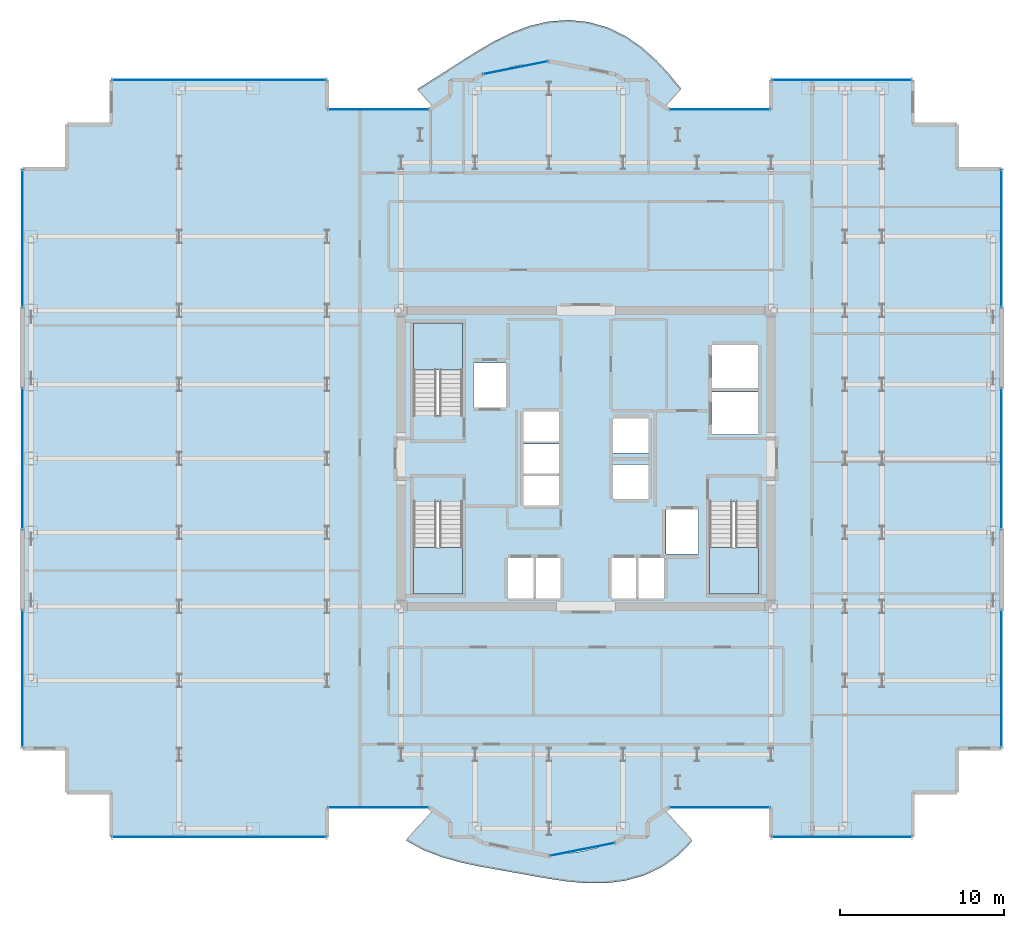
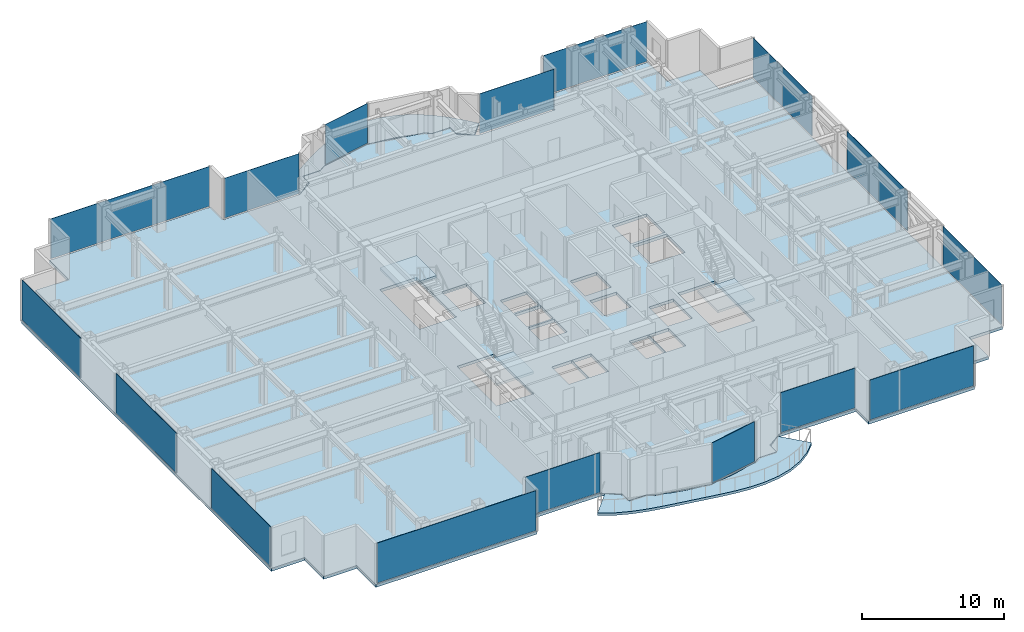
# One storey, part 17 of 25: 16 plates, 6 slabs, 19 elements without a shape of their own.
"""IFC4 building model written with IfcOpenShell, lengths in metres."""

from ifc_helpers import new_model, si_unit, direction, frame, origin, origin_2d, place, context, subcontext, project, spatial, polyline, rectangle, outline, extrude, source, transform, mapped, material, layer, layer_set, type_object, element, aggregate, save


model = new_model("IFC4")

# Units and contexts
model_context = context("Model", 3, precision=1e-05, world=origin(), true_north=direction((0.0, 1.0)))
body_context = subcontext(model_context, "Body", "Model", "MODEL_VIEW")
ifc_project = project(units=[si_unit("LENGTHUNIT", "METRE"), si_unit("AREAUNIT", "SQUARE_METRE"), si_unit("VOLUMEUNIT", "CUBIC_METRE"), si_unit("PLANEANGLEUNIT", "RADIAN"), si_unit("MASSUNIT", "GRAM", prefix="KILO")], contexts=[model_context])

# Site, building, storey
site_placement = place(None, origin())
site = spatial("IfcSite", under=ifc_project, at=site_placement, CompositionType="ELEMENT")
building_placement = place(site_placement, origin())
building = spatial("IfcBuilding", under=site, at=building_placement, Name="Nefas-Gora Pilgrimage Tower", CompositionType="ELEMENT")
storey_placement = place(building_placement, frame((0.0, 0.0, 194.39990234375)))
storey = spatial("IfcBuildingStorey", under=building, at=storey_placement, Name="L48", CompositionType="ELEMENT", Elevation=194.39990234375)

# Slabs
ifc_material_1 = material(Name="Concrete C40/50", Category="concrete")
ifc_layer_1 = layer(ifc_material_1, 0.219970703125)
ifc_layer_set_1 = layer_set([ifc_layer_1], Name="Concrete C40/50")
slab_type_1 = type_object("IfcSlabType", Name="SLB-BAL-P3", PredefinedType="FLOOR", material=ifc_layer_set_1)
slab_1_placement = place(storey_placement, frame((0.0, 0.0, -0.219970703125)))
element("IfcSlab", 1, at=slab_1_placement, inside=storey, type_object=slab_type_1, Name="L48 Sinusoidal Lobe Balcony Slab S (Phase 3)", PredefinedType="FLOOR", context=body_context, shape_type="SweptSolid", body=[
    extrude(outline(polyline([(4.78759765625, -21.385986328125), (4.724609375, -21.427978515625), (4.038330078125, -21.9912109375), (3.760009765625, -22.179931640625), (3.760009765625, -23.02001953125), (3.760009765625, -23.02099609375), (3.759765625, -23.02197265625), (3.759521484375, -23.02294921875), (3.75927734375, -23.023681640625), (3.7587890625, -23.024658203125), (3.75830078125, -23.025634765625), (3.7578125, -23.0263671875), (3.757080078125, -23.027099609375), (3.75634765625, -23.027587890625), (3.755615234375, -23.0283203125), (3.754638671875, -23.02880859375), (3.75390625, -23.029296875), (3.7529296875, -23.029541015625), (3.751953125, -23.02978515625), (3.7509765625, -23.030029296875), (3.75, -23.030029296875), (2.3271484375, -23.030029296875), (1.81298828125, -23.37353515625), (1.81201171875, -23.3740234375), (1.811279296875, -23.37451171875), (1.810302734375, -23.375), (1.809326171875, -23.375), (1.13037109375, -23.51025390625), (0.602783203125, -23.685302734375), (-0.334716796875, -23.904052734375), (-1.288330078125, -24.035888671875), (-1.580078125, -24.04931640625), (-2.248046875, -24.18212890625), (-2.2490234375, -24.182373046875), (-2.25, -24.182373046875), (-2.2509765625, -24.182373046875), (-2.251953125, -24.18212890625), (-2.919921875, -24.04931640625), (-3.211669921875, -24.035888671875), (-4.165283203125, -23.904052734375), (-5.102783203125, -23.685302734375), (-5.63037109375, -23.51025390625), (-6.309326171875, -23.375), (-6.310302734375, -23.375), (-6.311279296875, -23.37451171875), (-6.31201171875, -23.3740234375), (-6.31298828125, -23.37353515625), (-6.8271484375, -23.030029296875), (-8.25, -23.030029296875), (-8.2509765625, -23.030029296875), (-8.251953125, -23.02978515625), (-8.2529296875, -23.029541015625), (-8.25390625, -23.029296875), (-8.254638671875, -23.02880859375), (-8.255615234375, -23.0283203125), (-8.25634765625, -23.027587890625), (-8.257080078125, -23.027099609375), (-8.2578125, -23.0263671875), (-8.25830078125, -23.025634765625), (-8.2587890625, -23.024658203125), (-8.25927734375, -23.023681640625), (-8.259521484375, -23.02294921875), (-8.259765625, -23.02197265625), (-8.260009765625, -23.02099609375), (-8.260009765625, -23.02001953125), (-8.260009765625, -22.179931640625), (-8.538330078125, -21.9912109375), (-9.224609375, -21.427978515625), (-9.28759765625, -21.385986328125), (-10.9453125, -23.22705078125), (-9.891357421875, -23.802978515625), (-8.784912109375, -24.234130859375), (-7.66455078125, -24.5498046875), (-6.555908203125, -24.787353515625), (-5.469482421875, -24.985107421875), (-4.400390625, -25.172607421875), (-3.333740234375, -25.3642578125), (-2.25, -25.554931640625), (-1.133544921875, -25.720947265625), (0.021240234375, -25.824951171875), (1.20556640625, -25.822509765625), (2.3955078125, -25.672119140625), (3.555908203125, -25.343505859375), (4.64599609375, -24.8232421875), (5.627197265625, -24.118896484375), (6.4716796875, -23.25634765625), (4.78759765625, -21.385986328125)])), origin(), (0.0, 0.0, 1.0), 0.219970703125),
])
ifc_layer_2 = layer(ifc_material_1, 0.22509765625)
ifc_layer_set_2 = layer_set([ifc_layer_2], Name="Concrete C40/50")
slab_type_2 = type_object("IfcSlabType", Name="SLB-BAL-P7", PredefinedType="FLOOR", material=ifc_layer_set_2)
slab_2_placement = place(storey_placement, frame((0.0, 0.0, -0.224853515625)))
element("IfcSlab", 2, at=slab_2_placement, inside=storey, type_object=slab_type_2, Name="L48 Sinusoidal Lobe Balcony Slab N (Phase 7)", PredefinedType="FLOOR", context=body_context, shape_type="SweptSolid", body=[
    extrude(outline(polyline([(-9.28759765625, 21.385986328125), (-9.224609375, 21.427978515625), (-8.538330078125, 21.9912109375), (-8.260009765625, 22.179931640625), (-8.260009765625, 23.02001953125), (-8.260009765625, 23.02099609375), (-8.259765625, 23.02197265625), (-8.259521484375, 23.02294921875), (-8.25927734375, 23.023681640625), (-8.2587890625, 23.024658203125), (-8.25830078125, 23.025634765625), (-8.2578125, 23.0263671875), (-8.257080078125, 23.027099609375), (-8.25634765625, 23.027587890625), (-8.255615234375, 23.0283203125), (-8.254638671875, 23.02880859375), (-8.25390625, 23.029296875), (-8.2529296875, 23.029541015625), (-8.251953125, 23.02978515625), (-8.2509765625, 23.030029296875), (-8.25, 23.030029296875), (-6.8271484375, 23.030029296875), (-6.31298828125, 23.37353515625), (-6.31201171875, 23.3740234375), (-6.311279296875, 23.37451171875), (-6.310302734375, 23.375), (-6.309326171875, 23.375), (-5.63037109375, 23.51025390625), (-5.102783203125, 23.685302734375), (-4.165283203125, 23.904052734375), (-3.211669921875, 24.035888671875), (-2.919921875, 24.04931640625), (-2.251953125, 24.18212890625), (-2.2509765625, 24.182373046875), (-2.25, 24.182373046875), (-2.2490234375, 24.182373046875), (-2.248046875, 24.18212890625), (-1.580078125, 24.04931640625), (-1.288330078125, 24.035888671875), (-0.334716796875, 23.904052734375), (0.602783203125, 23.685302734375), (1.13037109375, 23.51025390625), (1.809326171875, 23.375), (1.810302734375, 23.375), (1.811279296875, 23.37451171875), (1.81201171875, 23.3740234375), (1.81298828125, 23.37353515625), (2.3271484375, 23.030029296875), (3.75, 23.030029296875), (3.7509765625, 23.030029296875), (3.751953125, 23.02978515625), (3.7529296875, 23.029541015625), (3.75390625, 23.029296875), (3.754638671875, 23.02880859375), (3.755615234375, 23.0283203125), (3.75634765625, 23.027587890625), (3.757080078125, 23.027099609375), (3.7578125, 23.0263671875), (3.75830078125, 23.025634765625), (3.7587890625, 23.024658203125), (3.75927734375, 23.023681640625), (3.759521484375, 23.02294921875), (3.759765625, 23.02197265625), (3.760009765625, 23.02099609375), (3.760009765625, 23.02001953125), (3.760009765625, 22.179931640625), (4.038330078125, 21.9912109375), (4.724609375, 21.427978515625), (4.78759765625, 21.385986328125), (5.782958984375, 22.491455078125), (5.06689453125, 23.368408203125), (4.27734375, 24.2216796875), (3.392578125, 25.01220703125), (2.4033203125, 25.692138671875), (1.316650390625, 26.21630859375), (0.155517578125, 26.548583984375), (-1.046142578125, 26.6708984375), (-2.25, 26.585205078125), (-3.4208984375, 26.314208984375), (-4.53466796875, 25.896484375), (-5.580322265625, 25.37890625), (-6.563720703125, 24.807373046875), (-7.501220703125, 24.218505859375), (-8.41650390625, 23.6328125), (-9.330810546875, 23.052490234375), (-10.256591796875, 22.462158203125), (-9.28759765625, 21.385986328125)])), origin(), (0.0, 0.0, 1.0), 0.224853515625),
])
ifc_layer_3 = layer(ifc_material_1, 0.25)
ifc_layer_set_3 = layer_set([ifc_layer_3], Name="Concrete C40/50")
slab_type_3 = type_object("IfcSlabType", Name="SLB-TWR-250", PredefinedType="FLOOR", material=ifc_layer_set_3)
slab_3_placement = place(storey_placement, frame((0.0, 0.0, -0.25)))
element("IfcSlab", 3, at=slab_3_placement, inside=storey, type_object=slab_type_3, Name="L48 Structural Floor Slab", PredefinedType="FLOOR", context=body_context, shape_type="SweptSolid", body=[
    extrude(outline(polyline([(5.01806640625, -21.219970703125), (11.25, -21.219970703125), (11.25, -23.02001953125), (19.8701171875, -23.02001953125), (19.8701171875, -20.320068359375), (22.570068359375, -20.320068359375), (22.570068359375, -17.6201171875), (25.27001953125, -17.6201171875), (25.27001953125, 17.6201171875), (22.570068359375, 17.6201171875), (22.570068359375, 20.320068359375), (19.8701171875, 20.320068359375), (19.8701171875, 23.02001953125), (11.25, 23.02001953125), (11.25, 21.219970703125), (5.01806640625, 21.219970703125), (3.75, 22.0673828125), (3.75, 23.02001953125), (2.32421875, 23.02001953125), (1.807373046875, 23.365234375), (-2.25, 24.17236328125), (-6.307373046875, 23.365234375), (-6.82421875, 23.02001953125), (-8.25, 23.02001953125), (-8.25, 22.0673828125), (-9.51806640625, 21.219970703125), (-15.75, 21.219970703125), (-15.75, 23.02001953125), (-28.8701171875, 23.02001953125), (-28.8701171875, 20.320068359375), (-31.570068359375, 20.320068359375), (-31.570068359375, 17.6201171875), (-34.27001953125, 17.6201171875), (-34.27001953125, -17.6201171875), (-31.570068359375, -17.6201171875), (-31.570068359375, -20.320068359375), (-28.8701171875, -20.320068359375), (-28.8701171875, -23.02001953125), (-15.75, -23.02001953125), (-15.75, -21.219970703125), (-9.51806640625, -21.219970703125), (-8.25, -22.0673828125), (-8.25, -23.02001953125), (-6.82421875, -23.02001953125), (-6.307373046875, -23.365234375), (-2.25, -24.17236328125), (1.807373046875, -23.365234375), (2.32421875, -23.02001953125), (3.75, -23.02001953125), (3.75, -22.0673828125), (5.01806640625, -21.219970703125)]), holes=[polyline([(-10.5, 2.639892578125), (-10.5, 8.25), (-7.5, 8.25), (-7.5, 2.639892578125), (-10.5, 2.639892578125)]), polyline([(10.5, -2.639892578125), (10.5, -8.25), (7.5, -8.25), (7.5, -2.639892578125), (10.5, -2.639892578125)]), polyline([(-7.5, -2.639892578125), (-7.5, -8.25), (-10.5, -8.25), (-10.5, -2.639892578125), (-7.5, -2.639892578125)]), polyline([(-6.85009765625, 5.800048828125), (-4.85009765625, 5.800048828125), (-4.85009765625, 3.10009765625), (-6.85009765625, 3.10009765625), (-6.85009765625, 5.800048828125)]), polyline([(4.85009765625, -3.10009765625), (6.85009765625, -3.10009765625), (6.85009765625, -5.800048828125), (4.85009765625, -5.800048828125), (4.85009765625, -3.10009765625)]), polyline([(7.64990234375, 4.050048828125), (10.449951171875, 4.050048828125), (10.449951171875, 1.449951171875), (7.64990234375, 1.449951171875), (7.64990234375, 4.050048828125)]), polyline([(7.64990234375, 6.89990234375), (10.449951171875, 6.89990234375), (10.449951171875, 4.300048828125), (7.64990234375, 4.300048828125), (7.64990234375, 6.89990234375)]), polyline([(-4.75, -6.050048828125), (-3.14990234375, -6.050048828125), (-3.14990234375, -8.5), (-4.75, -8.5), (-4.75, -6.050048828125)]), polyline([(-3.10009765625, -6.050048828125), (-1.550048828125, -6.050048828125), (-1.550048828125, -8.5), (-3.10009765625, -8.5), (-3.10009765625, -6.050048828125)]), polyline([(1.550048828125, -6.050048828125), (3.10009765625, -6.050048828125), (3.10009765625, -8.5), (1.550048828125, -8.5), (1.550048828125, -6.050048828125)]), polyline([(3.14990234375, -6.050048828125), (4.75, -6.050048828125), (4.75, -8.5), (3.14990234375, -8.5), (3.14990234375, -6.050048828125)]), polyline([(-3.800048828125, -1.050048828125), (-1.64990234375, -1.050048828125), (-1.64990234375, -2.85009765625), (-3.800048828125, -2.85009765625), (-3.800048828125, -1.050048828125)]), polyline([(-3.800048828125, 0.89990234375), (-1.64990234375, 0.89990234375), (-1.64990234375, -0.89990234375), (-3.800048828125, -0.89990234375), (-3.800048828125, 0.89990234375)]), polyline([(-3.800048828125, 2.85009765625), (-1.64990234375, 2.85009765625), (-1.64990234375, 1.050048828125), (-3.800048828125, 1.050048828125), (-3.800048828125, 2.85009765625)]), polyline([(1.64990234375, -0.35009765625), (3.800048828125, -0.35009765625), (3.800048828125, -2.449951171875), (1.64990234375, -2.449951171875), (1.64990234375, -0.35009765625)]), polyline([(1.64990234375, 2.449951171875), (3.800048828125, 2.449951171875), (3.800048828125, 0.35009765625), (1.64990234375, 0.35009765625), (1.64990234375, 2.449951171875)])]), origin(), (0.0, 0.0, 1.0), 0.25),
])

# Stair, slab
ifc_material_2 = material(Name="Concrete C45/55", Category="concrete")
stair_type = type_object("IfcStairType", Name="STR-1400-R1727", PredefinedType="HALF_TURN_STAIR", material=ifc_material_2)
stair_1_placement = place(storey_placement, origin())
stair_1 = element("IfcStair", 4, at=stair_1_placement, inside=storey, type_object=stair_type, Name="L48 Pressurised Tower Exit Stair ST-01", PredefinedType="HALF_TURN_STAIR")
ifc_layer_4 = layer(ifc_material_1, 0.199951171875)
ifc_layer_set_4 = layer_set([ifc_layer_4], Name="Concrete C40/50")
slab_type_4 = type_object("IfcSlabType", Name="STR-LAND-200", PredefinedType="LANDING", material=ifc_layer_set_4)
slab_4_placement = place(storey_placement, frame((0.0, 0.0, 1.7001953125)))
slab_4 = element("IfcSlab", 5, at=slab_4_placement, type_object=slab_type_4, Name="ST-01 landing 1", PredefinedType="LANDING", context=body_context, shape_type="SweptSolid", body=[
    extrude(outline(polyline([(-7.5, 5.39990234375), (-7.5, 8.25), (-10.5, 8.25), (-10.5, 5.39990234375), (-7.5, 5.39990234375)])), origin(), (0.0, 0.0, 1.0), 0.199951171875),
])
aggregate(stair_1, [slab_4])

stair_2_placement = place(storey_placement, origin())
stair_2 = element("IfcStair", 6, at=stair_2_placement, inside=storey, type_object=stair_type, Name="L48 Pressurised Tower Exit Stair ST-02", PredefinedType="HALF_TURN_STAIR")
slab_5_placement = place(storey_placement, frame((0.0, 0.0, 1.7001953125)))
slab_5 = element("IfcSlab", 7, at=slab_5_placement, type_object=slab_type_4, Name="ST-02 landing 1", PredefinedType="LANDING", context=body_context, shape_type="SweptSolid", body=[
    extrude(outline(polyline([(7.5, -5.39990234375), (7.5, -8.25), (10.5, -8.25), (10.5, -5.39990234375), (7.5, -5.39990234375)])), origin(), (0.0, 0.0, 1.0), 0.199951171875),
])
aggregate(stair_2, [slab_5])

stair_3_placement = place(storey_placement, origin())
stair_3 = element("IfcStair", 8, at=stair_3_placement, inside=storey, type_object=stair_type, Name="L48 Pressurised Tower Exit Stair ST-03", PredefinedType="HALF_TURN_STAIR")
slab_6_placement = place(storey_placement, frame((0.0, 0.0, 1.7001953125)))
slab_6 = element("IfcSlab", 9, at=slab_6_placement, type_object=slab_type_4, Name="ST-03 landing 1", PredefinedType="LANDING", context=body_context, shape_type="SweptSolid", body=[
    extrude(outline(polyline([(-10.5, -5.39990234375), (-10.5, -8.25), (-7.5, -8.25), (-7.5, -5.39990234375), (-10.5, -5.39990234375)])), origin(), (0.0, 0.0, 1.0), 0.199951171875),
])
aggregate(stair_3, [slab_6])

# Curtain wall, plate
ifc_material_3 = material(Name="Dark ceramic-fritted solar-control aluminium-glass curtain wall", Category="aluminium")
ifc_layer_5 = layer(ifc_material_3, 0.219970703125)
ifc_layer_set_5 = layer_set([ifc_layer_5], Name="Dark ceramic-fritted solar-control aluminium-glass curtain wall")
curtain_wall_type_1 = type_object("IfcCurtainWallType", Name="CW-SYS-5", PredefinedType="NOTDEFINED", material=ifc_layer_set_5)
curtain_wall_1_placement = place(storey_placement, origin())
curtain_wall_1 = element("IfcCurtainWall", 10, at=curtain_wall_1_placement, inside=storey, type_object=curtain_wall_type_1, Name="L48 Unitised Curtain Wall CW5", PredefinedType="NOTDEFINED")
ifc_material_4 = material(Name="Dark ceramic-printed low-e insulated glass", Category="glass")
ifc_layer_6 = layer(ifc_material_4, 0.028076171875)
ifc_layer_set_6 = layer_set([ifc_layer_6], Name="Dark ceramic-printed low-e insulated glass")
plate_type_1 = type_object("IfcPlateType", Name="CWP-PNL-5", PredefinedType="CURTAIN_PANEL", material=ifc_layer_set_6)
shared_shape_1 = source(origin(), body_context, "Body", "SweptSolid", [
    extrude(rectangle(XDim=6.052001953125, YDim=0.028076171875, at=origin_2d()), origin(), (0.0, 0.0, 1.0), 3.43994140625),
])
plate_1_placement = place(storey_placement, frame((8.134033203125, -21.219970703125, 0.10009765625), z_axis=(0.0, 0.0, 1.0), x_axis=(1.0, 0.0, 0.0)))
plate_1 = element("IfcPlate", 11, at=plate_1_placement, type_object=plate_type_1, Name="CW5 Ceramic-Fritted Glazing Panel 1", PredefinedType="CURTAIN_PANEL", context=body_context, shape_type="MappedRepresentation", body=[
    mapped(shared_shape_1, transform((0.0, 0.0, 0.0), x_axis=(1.0, 0.0, 0.0), y_axis=(0.0, 1.0, 0.0), z_axis=(0.0, 0.0, 1.0), scale=1.0)),
])
aggregate(curtain_wall_1, [plate_1])

curtain_wall_2_placement = place(storey_placement, origin())
curtain_wall_2 = element("IfcCurtainWall", 12, at=curtain_wall_2_placement, inside=storey, type_object=curtain_wall_type_1, Name="L48 Unitised Curtain Wall CW5", PredefinedType="NOTDEFINED")
plate_2_placement = place(storey_placement, frame((8.134033203125, 21.219970703125, 0.10009765625), z_axis=(0.0, 0.0, 1.0), x_axis=(-1.0, 0.0, 0.0)))
plate_2 = element("IfcPlate", 13, at=plate_2_placement, type_object=plate_type_1, Name="CW5 Ceramic-Fritted Glazing Panel 1", PredefinedType="CURTAIN_PANEL", context=body_context, shape_type="MappedRepresentation", body=[
    mapped(shared_shape_1, transform((0.0, 0.0, 0.0), x_axis=(1.0, 0.0, 0.0), y_axis=(0.0, 1.0, 0.0), z_axis=(0.0, 0.0, 1.0), scale=1.0)),
])
aggregate(curtain_wall_2, [plate_2])

curtain_wall_3_placement = place(storey_placement, origin())
curtain_wall_3 = element("IfcCurtainWall", 14, at=curtain_wall_3_placement, inside=storey, type_object=curtain_wall_type_1, Name="L48 Unitised Curtain Wall CW5", PredefinedType="NOTDEFINED")
plate_3_placement = place(storey_placement, frame((-12.634033203125, 21.219970703125, 0.10009765625), z_axis=(0.0, 0.0, 1.0), x_axis=(-1.0, 0.0, 0.0)))
plate_3 = element("IfcPlate", 15, at=plate_3_placement, type_object=plate_type_1, Name="CW5 Ceramic-Fritted Glazing Panel 1", PredefinedType="CURTAIN_PANEL", context=body_context, shape_type="MappedRepresentation", body=[
    mapped(shared_shape_1, transform((0.0, 0.0, 0.0), x_axis=(1.0, 0.0, 0.0), y_axis=(0.0, 1.0, 0.0), z_axis=(0.0, 0.0, 1.0), scale=1.0)),
])
aggregate(curtain_wall_3, [plate_3])

curtain_wall_4_placement = place(storey_placement, origin())
curtain_wall_4 = element("IfcCurtainWall", 16, at=curtain_wall_4_placement, inside=storey, type_object=curtain_wall_type_1, Name="L48 Unitised Curtain Wall CW5", PredefinedType="NOTDEFINED")
plate_4_placement = place(storey_placement, frame((-12.634033203125, -21.219970703125, 0.10009765625), z_axis=(0.0, 0.0, 1.0), x_axis=(1.0, 0.0, 0.0)))
plate_4 = element("IfcPlate", 17, at=plate_4_placement, type_object=plate_type_1, Name="CW5 Ceramic-Fritted Glazing Panel 1", PredefinedType="CURTAIN_PANEL", context=body_context, shape_type="MappedRepresentation", body=[
    mapped(shared_shape_1, transform((0.0, 0.0, 0.0), x_axis=(1.0, 0.0, 0.0), y_axis=(0.0, 1.0, 0.0), z_axis=(0.0, 0.0, 1.0), scale=1.0)),
])
aggregate(curtain_wall_4, [plate_4])

curtain_wall_5_placement = place(storey_placement, origin())
curtain_wall_5 = element("IfcCurtainWall", 18, at=curtain_wall_5_placement, inside=storey, type_object=curtain_wall_type_1, Name="L48 Unitised Curtain Wall CW5", PredefinedType="NOTDEFINED")
shared_shape_2 = source(origin(), body_context, "Body", "SweptSolid", [
    extrude(rectangle(XDim=3.956787109375, YDim=0.028076171875, at=origin_2d()), origin(), (0.0, 0.0, 1.0), 3.43994140625),
])
plate_5_placement = place(storey_placement, frame((-4.278564453125, 23.768798828125, 0.10009765625), z_axis=(0.0, 0.0, 1.0), x_axis=(-0.980782896852, -0.195102304554, 0.0)))
plate_5 = element("IfcPlate", 19, at=plate_5_placement, type_object=plate_type_1, Name="CW5 Ceramic-Fritted Glazing Panel 1", PredefinedType="CURTAIN_PANEL", context=body_context, shape_type="MappedRepresentation", body=[
    mapped(shared_shape_2, transform((0.0, 0.0, 0.0), x_axis=(1.0, 0.0, 0.0), y_axis=(0.0, 1.0, 0.0), z_axis=(0.0, 0.0, 1.0), scale=1.0)),
])
aggregate(curtain_wall_5, [plate_5])

curtain_wall_6_placement = place(storey_placement, origin())
curtain_wall_6 = element("IfcCurtainWall", 20, at=curtain_wall_6_placement, inside=storey, type_object=curtain_wall_type_1, Name="L48 Unitised Curtain Wall CW5", PredefinedType="NOTDEFINED")
plate_6_placement = place(storey_placement, frame((-0.221435546875, -23.768798828125, 0.10009765625), z_axis=(0.0, 0.0, 1.0), x_axis=(0.980782896852, 0.195102304554, 0.0)))
plate_6 = element("IfcPlate", 21, at=plate_6_placement, type_object=plate_type_1, Name="CW5 Ceramic-Fritted Glazing Panel 1", PredefinedType="CURTAIN_PANEL", context=body_context, shape_type="MappedRepresentation", body=[
    mapped(shared_shape_2, transform((0.0, 0.0, 0.0), x_axis=(1.0, 0.0, 0.0), y_axis=(0.0, 1.0, 0.0), z_axis=(0.0, 0.0, 1.0), scale=1.0)),
])
aggregate(curtain_wall_6, [plate_6])

ifc_layer_7 = layer(ifc_material_3, 0.219970703125)
ifc_layer_set_7 = layer_set([ifc_layer_7], Name="Dark ceramic-fritted solar-control aluminium-glass curtain wall")
curtain_wall_type_2 = type_object("IfcCurtainWallType", Name="CW-SYS-3", PredefinedType="NOTDEFINED", material=ifc_layer_set_7)
curtain_wall_7_placement = place(storey_placement, origin())
curtain_wall_7 = element("IfcCurtainWall", 22, at=curtain_wall_7_placement, inside=storey, type_object=curtain_wall_type_2, Name="L48 Unitised Curtain Wall CW3", PredefinedType="NOTDEFINED")
ifc_layer_8 = layer(ifc_material_4, 0.033935546875)
ifc_layer_set_8 = layer_set([ifc_layer_8], Name="Dark ceramic-printed low-e insulated glass")
plate_type_2 = type_object("IfcPlateType", Name="CWP-PNL-3", PredefinedType="CURTAIN_PANEL", material=ifc_layer_set_8)
shared_shape_3 = source(origin(), body_context, "Body", "SweptSolid", [
    extrude(rectangle(XDim=8.43994140625, YDim=0.033935546875, at=origin_2d()), origin(), (0.0, 0.0, 1.0), 3.43994140625),
])
plate_7_placement = place(storey_placement, frame((15.56005859375, -23.02001953125, 0.10009765625), z_axis=(0.0, 0.0, 1.0), x_axis=(1.0, 0.0, 0.0)))
plate_7 = element("IfcPlate", 23, at=plate_7_placement, type_object=plate_type_2, Name="CW3 Ceramic-Fritted Glazing Panel 1", PredefinedType="CURTAIN_PANEL", context=body_context, shape_type="MappedRepresentation", body=[
    mapped(shared_shape_3, transform((0.0, 0.0, 0.0), x_axis=(1.0, 0.0, 0.0), y_axis=(0.0, 1.0, 0.0), z_axis=(0.0, 0.0, 1.0), scale=1.0)),
])
aggregate(curtain_wall_7, [plate_7])

curtain_wall_8_placement = place(storey_placement, origin())
curtain_wall_8 = element("IfcCurtainWall", 24, at=curtain_wall_8_placement, inside=storey, type_object=curtain_wall_type_2, Name="L48 Unitised Curtain Wall CW3", PredefinedType="NOTDEFINED")
plate_8_placement = place(storey_placement, frame((15.56005859375, 23.02001953125, 0.10009765625), z_axis=(0.0, 0.0, 1.0), x_axis=(-1.0, 0.0, 0.0)))
plate_8 = element("IfcPlate", 25, at=plate_8_placement, type_object=plate_type_2, Name="CW3 Ceramic-Fritted Glazing Panel 1", PredefinedType="CURTAIN_PANEL", context=body_context, shape_type="MappedRepresentation", body=[
    mapped(shared_shape_3, transform((0.0, 0.0, 0.0), x_axis=(1.0, 0.0, 0.0), y_axis=(0.0, 1.0, 0.0), z_axis=(0.0, 0.0, 1.0), scale=1.0)),
])
aggregate(curtain_wall_8, [plate_8])

curtain_wall_9_placement = place(storey_placement, origin())
curtain_wall_9 = element("IfcCurtainWall", 26, at=curtain_wall_9_placement, inside=storey, type_object=curtain_wall_type_2, Name="L48 Unitised Curtain Wall CW3", PredefinedType="NOTDEFINED")
shared_shape_4 = source(origin(), body_context, "Body", "SweptSolid", [
    extrude(rectangle(XDim=8.2900390625, YDim=0.033935546875, at=origin_2d()), origin(), (0.0, 0.0, 1.0), 3.43994140625),
])
plate_9_placement = place(storey_placement, frame((25.27001953125, -13.385009765625, 0.10009765625), z_axis=(0.0, 0.0, 1.0), x_axis=(0.0, 1.0, 0.0)))
plate_9 = element("IfcPlate", 27, at=plate_9_placement, type_object=plate_type_2, Name="CW3 Ceramic-Fritted Glazing Panel 1", PredefinedType="CURTAIN_PANEL", context=body_context, shape_type="MappedRepresentation", body=[
    mapped(shared_shape_4, transform((0.0, 0.0, 0.0), x_axis=(1.0, 0.0, 0.0), y_axis=(0.0, 1.0, 0.0), z_axis=(0.0, 0.0, 1.0), scale=1.0)),
])
aggregate(curtain_wall_9, [plate_9])

curtain_wall_10_placement = place(storey_placement, origin())
curtain_wall_10 = element("IfcCurtainWall", 28, at=curtain_wall_10_placement, inside=storey, type_object=curtain_wall_type_2, Name="L48 Unitised Curtain Wall CW3", PredefinedType="NOTDEFINED")
plate_10_placement = place(storey_placement, frame((25.27001953125, 13.385009765625, 0.10009765625), z_axis=(0.0, 0.0, 1.0), x_axis=(0.0, 1.0, 0.0)))
plate_10 = element("IfcPlate", 29, at=plate_10_placement, type_object=plate_type_2, Name="CW3 Ceramic-Fritted Glazing Panel 1", PredefinedType="CURTAIN_PANEL", context=body_context, shape_type="MappedRepresentation", body=[
    mapped(shared_shape_4, transform((0.0, 0.0, 0.0), x_axis=(1.0, 0.0, 0.0), y_axis=(0.0, 1.0, 0.0), z_axis=(0.0, 0.0, 1.0), scale=1.0)),
])
aggregate(curtain_wall_10, [plate_10])

curtain_wall_11_placement = place(storey_placement, origin())
curtain_wall_11 = element("IfcCurtainWall", 30, at=curtain_wall_11_placement, inside=storey, type_object=curtain_wall_type_2, Name="L48 Unitised Curtain Wall CW3", PredefinedType="NOTDEFINED")
plate_11_placement = place(storey_placement, frame((-34.27001953125, 13.385009765625, 0.10009765625), z_axis=(0.0, 0.0, 1.0), x_axis=(0.0, -1.0, 0.0)))
plate_11 = element("IfcPlate", 31, at=plate_11_placement, type_object=plate_type_2, Name="CW3 Ceramic-Fritted Glazing Panel 1", PredefinedType="CURTAIN_PANEL", context=body_context, shape_type="MappedRepresentation", body=[
    mapped(shared_shape_4, transform((0.0, 0.0, 0.0), x_axis=(1.0, 0.0, 0.0), y_axis=(0.0, 1.0, 0.0), z_axis=(0.0, 0.0, 1.0), scale=1.0)),
])
aggregate(curtain_wall_11, [plate_11])

curtain_wall_12_placement = place(storey_placement, origin())
curtain_wall_12 = element("IfcCurtainWall", 32, at=curtain_wall_12_placement, inside=storey, type_object=curtain_wall_type_2, Name="L48 Unitised Curtain Wall CW3", PredefinedType="NOTDEFINED")
plate_12_placement = place(storey_placement, frame((-34.27001953125, -13.385009765625, 0.10009765625), z_axis=(0.0, 0.0, 1.0), x_axis=(0.0, -1.0, 0.0)))
plate_12 = element("IfcPlate", 33, at=plate_12_placement, type_object=plate_type_2, Name="CW3 Ceramic-Fritted Glazing Panel 1", PredefinedType="CURTAIN_PANEL", context=body_context, shape_type="MappedRepresentation", body=[
    mapped(shared_shape_4, transform((0.0, 0.0, 0.0), x_axis=(1.0, 0.0, 0.0), y_axis=(0.0, 1.0, 0.0), z_axis=(0.0, 0.0, 1.0), scale=1.0)),
])
aggregate(curtain_wall_12, [plate_12])

curtain_wall_13_placement = place(storey_placement, origin())
curtain_wall_13 = element("IfcCurtainWall", 34, at=curtain_wall_13_placement, inside=storey, type_object=curtain_wall_type_2, Name="L48 Unitised Curtain Wall CW3", PredefinedType="NOTDEFINED")
shared_shape_5 = source(origin(), body_context, "Body", "SweptSolid", [
    extrude(rectangle(XDim=8.52001953125, YDim=0.033935546875, at=origin_2d()), origin(), (0.0, 0.0, 1.0), 3.43994140625),
])
plate_13_placement = place(storey_placement, frame((25.27001953125, 0.0, 0.10009765625), z_axis=(0.0, 0.0, 1.0), x_axis=(0.0, 1.0, 0.0)))
plate_13 = element("IfcPlate", 35, at=plate_13_placement, type_object=plate_type_2, Name="CW3 Ceramic-Fritted Glazing Panel 1", PredefinedType="CURTAIN_PANEL", context=body_context, shape_type="MappedRepresentation", body=[
    mapped(shared_shape_5, transform((0.0, 0.0, 0.0), x_axis=(1.0, 0.0, 0.0), y_axis=(0.0, 1.0, 0.0), z_axis=(0.0, 0.0, 1.0), scale=1.0)),
])
aggregate(curtain_wall_13, [plate_13])

curtain_wall_14_placement = place(storey_placement, origin())
curtain_wall_14 = element("IfcCurtainWall", 36, at=curtain_wall_14_placement, inside=storey, type_object=curtain_wall_type_2, Name="L48 Unitised Curtain Wall CW3", PredefinedType="NOTDEFINED")
plate_14_placement = place(storey_placement, frame((-34.27001953125, 0.0, 0.10009765625), z_axis=(0.0, 0.0, 1.0), x_axis=(0.0, -1.0, 0.0)))
plate_14 = element("IfcPlate", 37, at=plate_14_placement, type_object=plate_type_2, Name="CW3 Ceramic-Fritted Glazing Panel 1", PredefinedType="CURTAIN_PANEL", context=body_context, shape_type="MappedRepresentation", body=[
    mapped(shared_shape_5, transform((0.0, 0.0, 0.0), x_axis=(1.0, 0.0, 0.0), y_axis=(0.0, 1.0, 0.0), z_axis=(0.0, 0.0, 1.0), scale=1.0)),
])
aggregate(curtain_wall_14, [plate_14])

curtain_wall_15_placement = place(storey_placement, origin())
curtain_wall_15 = element("IfcCurtainWall", 38, at=curtain_wall_15_placement, inside=storey, type_object=curtain_wall_type_2, Name="L48 Unitised Curtain Wall CW3", PredefinedType="NOTDEFINED")
shared_shape_6 = source(origin(), body_context, "Body", "SweptSolid", [
    extrude(rectangle(XDim=12.93994140625, YDim=0.033935546875, at=origin_2d()), origin(), (0.0, 0.0, 1.0), 3.43994140625),
])
plate_15_placement = place(storey_placement, frame((-22.31005859375, 23.02001953125, 0.10009765625), z_axis=(0.0, 0.0, 1.0), x_axis=(-1.0, 0.0, 0.0)))
plate_15 = element("IfcPlate", 39, at=plate_15_placement, type_object=plate_type_2, Name="CW3 Ceramic-Fritted Glazing Panel 1", PredefinedType="CURTAIN_PANEL", context=body_context, shape_type="MappedRepresentation", body=[
    mapped(shared_shape_6, transform((0.0, 0.0, 0.0), x_axis=(1.0, 0.0, 0.0), y_axis=(0.0, 1.0, 0.0), z_axis=(0.0, 0.0, 1.0), scale=1.0)),
])
aggregate(curtain_wall_15, [plate_15])

curtain_wall_16_placement = place(storey_placement, origin())
curtain_wall_16 = element("IfcCurtainWall", 40, at=curtain_wall_16_placement, inside=storey, type_object=curtain_wall_type_2, Name="L48 Unitised Curtain Wall CW3", PredefinedType="NOTDEFINED")
plate_16_placement = place(storey_placement, frame((-22.31005859375, -23.02001953125, 0.10009765625), z_axis=(0.0, 0.0, 1.0), x_axis=(1.0, 0.0, 0.0)))
plate_16 = element("IfcPlate", 41, at=plate_16_placement, type_object=plate_type_2, Name="CW3 Ceramic-Fritted Glazing Panel 1", PredefinedType="CURTAIN_PANEL", context=body_context, shape_type="MappedRepresentation", body=[
    mapped(shared_shape_6, transform((0.0, 0.0, 0.0), x_axis=(1.0, 0.0, 0.0), y_axis=(0.0, 1.0, 0.0), z_axis=(0.0, 0.0, 1.0), scale=1.0)),
])
aggregate(curtain_wall_16, [plate_16])

save(model, "model.ifc")
